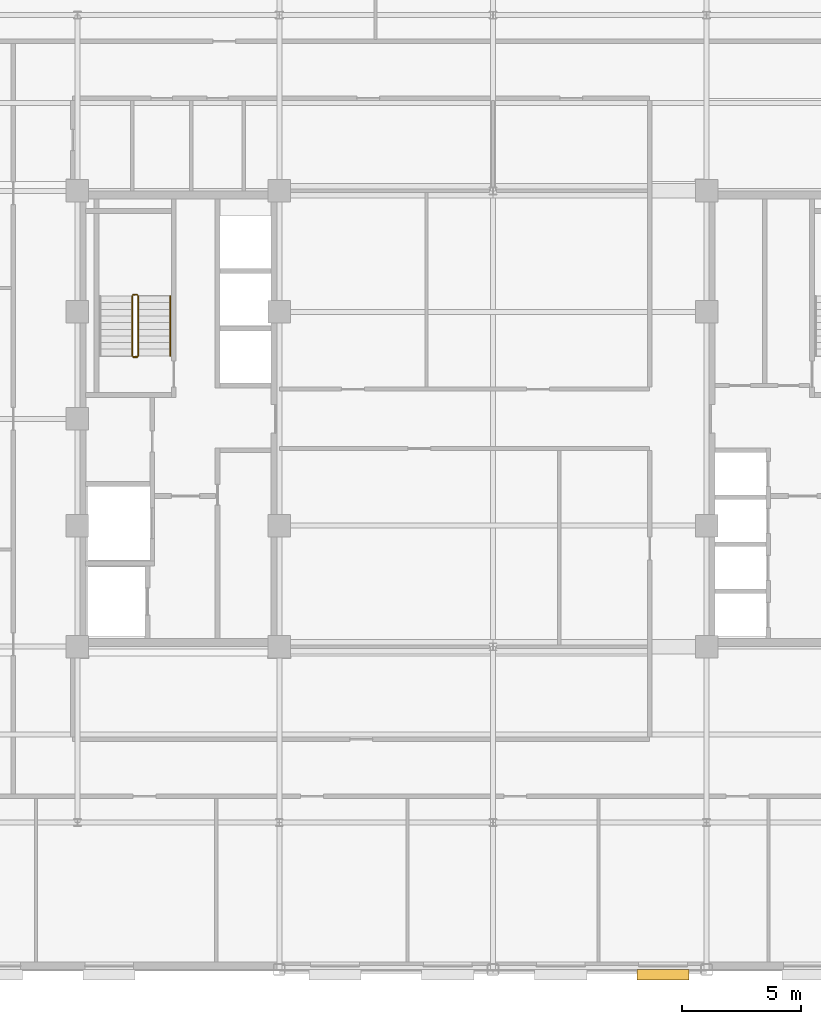
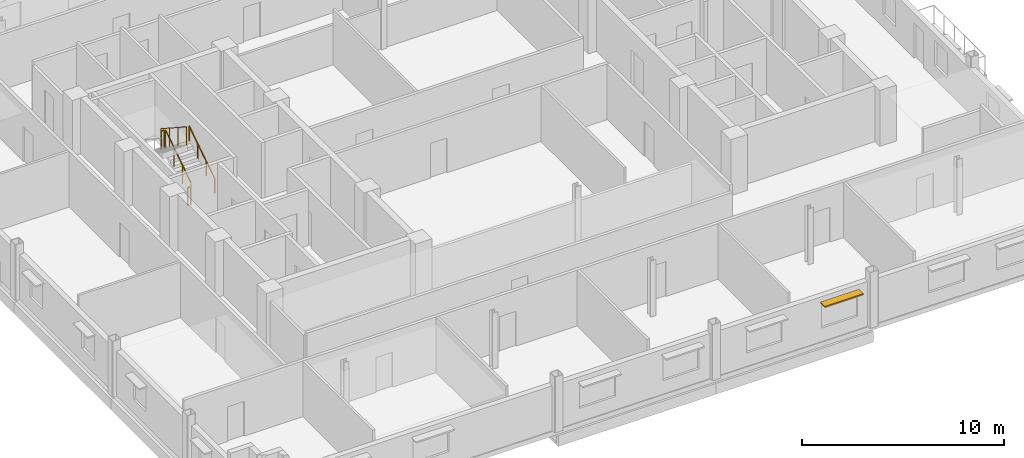
# One storey, part 13 of 15: 5 railings, 1 shading device.
"""IFC4 building model written with IfcOpenShell, lengths in metres."""

from ifc_helpers import new_model, si_unit, direction, frame, origin, origin_2d, place, context, subcontext, project, spatial, rectangle, circle, extrude, source, transform, mapped, material, type_object, type_shapes, element, save


model = new_model("IFC4")

# Units and contexts
model_context = context("Model", 3, precision=1e-05, world=origin(), true_north=direction((0.0, 1.0)))
body_context = subcontext(model_context, "Body", "Model", "MODEL_VIEW")
ifc_project = project(units=[si_unit("LENGTHUNIT", "METRE"), si_unit("AREAUNIT", "SQUARE_METRE"), si_unit("VOLUMEUNIT", "CUBIC_METRE"), si_unit("PLANEANGLEUNIT", "RADIAN"), si_unit("MASSUNIT", "GRAM", prefix="KILO")], contexts=[model_context])

# Site, building, storey
site_placement = place(None, origin())
site = spatial("IfcSite", under=ifc_project, at=site_placement, CompositionType="ELEMENT")
building_placement = place(site_placement, origin())
building = spatial("IfcBuilding", under=site, at=building_placement, Name="Nuvemarco Arch Tower", CompositionType="ELEMENT")
storey_placement = place(building_placement, frame((0.0, 0.0, 194.550048828125)))
storey = spatial("IfcBuildingStorey", under=building, at=storey_placement, Name="L51", CompositionType="ELEMENT", Elevation=194.550048828125)

# Railings
ifc_material_1 = material(Name="Brushed stainless steel handrail", Category="steel")
railing_type_1 = type_object("IfcRailingType", Name="RL-HANDRAIL-900", PredefinedType="HANDRAIL", material=ifc_material_1)
railing_1_placement = place(storey_placement, frame((-13.590087890625, 2.64990234375, 0.182373046875)))
element("IfcRailing", 1, at=railing_1_placement, inside=storey, type_object=railing_type_1, Name="L51 ST-1 stair handrail 1", PredefinedType="HANDRAIL", context=body_context, shape_type="SweptSolid", body=[
    extrude(circle(Radius=0.02392578125, at=origin_2d()), frame((0.0, 0.0, 0.8759765625), z_axis=(0.0, 0.837749427056, 0.546054848405), x_axis=(-1.0, 0.0, 0.0)), (0.0, 0.0, 1.0), 3.008056640625),
    extrude(circle(Radius=0.02099609375, at=origin_2d()), origin(), (0.0, 0.0, 1.0), 0.851806640625),
    extrude(circle(Radius=0.02099609375, at=origin_2d()), frame((0.0, 0.840087890625, 0.547607421875)), (0.0, 0.0, 1.0), 0.851806640625),
    extrude(circle(Radius=0.02099609375, at=origin_2d()), frame((0.0, 1.679931640625, 1.094970703125)), (0.0, 0.0, 1.0), 0.851806640625),
    extrude(circle(Radius=0.02099609375, at=origin_2d()), frame((0.0, 2.52001953125, 1.642578125)), (0.0, 0.0, 1.0), 0.851806640625),
])
ifc_material_2 = material(Name="Painted balustrade steel S355", Category="steel")
railing_type_2 = type_object("IfcRailingType", Name="RL-STAIR-GUARD", PredefinedType="GUARDRAIL", material=ifc_material_2)
railing_2_placement = place(storey_placement, frame((-14.93994140625, 2.64990234375, 0.182373046875)))
element("IfcRailing", 2, at=railing_2_placement, inside=storey, type_object=railing_type_2, Name="L51 ST-1 stair guard 1", PredefinedType="GUARDRAIL", context=body_context, shape_type="SweptSolid", body=[
    extrude(circle(Radius=0.02392578125, at=origin_2d()), frame((0.0, 0.0, 1.09619140625), z_axis=(0.0, 0.837749427056, 0.546054848405), x_axis=(-1.0, 0.0, 0.0)), (0.0, 0.0, 1.0), 3.008056640625),
    extrude(circle(Radius=0.02099609375, at=origin_2d()), origin(), (0.0, 0.0, 1.0), 1.072021484375),
    extrude(circle(Radius=0.02099609375, at=origin_2d()), frame((0.0, 0.840087890625, 0.547607421875)), (0.0, 0.0, 1.0), 1.072021484375),
    extrude(circle(Radius=0.02099609375, at=origin_2d()), frame((0.0, 1.679931640625, 1.094970703125)), (0.0, 0.0, 1.0), 1.072021484375),
    extrude(circle(Radius=0.02099609375, at=origin_2d()), frame((0.0, 2.52001953125, 1.642578125)), (0.0, 0.0, 1.0), 1.072021484375),
])
railing_3_placement = place(storey_placement, frame((-14.989990234375, 5.219970703125, 1.824951171875)))
element("IfcRailing", 3, at=railing_3_placement, inside=storey, type_object=railing_type_2, Name="L51 ST-1 stair guard 2", PredefinedType="GUARDRAIL", context=body_context, shape_type="SweptSolid", body=[
    extrude(circle(Radius=0.02392578125, at=origin_2d()), frame((0.0, 0.0, 1.09619140625), z_axis=(-1.0, 0.0, 0.0), x_axis=(0.0, -1.0, 0.0)), (0.0, 0.0, 1.0), 0.159912109375),
    extrude(circle(Radius=0.02099609375, at=origin_2d()), origin(), (0.0, 0.0, 1.0), 1.072021484375),
    extrude(circle(Radius=0.02099609375, at=origin_2d()), frame((-0.159912109375, 0.0, 0.0)), (0.0, 0.0, 1.0), 1.072021484375),
])
railing_4_placement = place(storey_placement, frame((-15.199951171875, 5.169921875, 2.007568359375)))
element("IfcRailing", 4, at=railing_4_placement, inside=storey, type_object=railing_type_2, Name="L51 ST-1 stair guard 3", PredefinedType="GUARDRAIL", context=body_context, shape_type="SweptSolid", body=[
    extrude(circle(Radius=0.02392578125, at=origin_2d()), frame((0.0, 0.0, 1.09619140625), z_axis=(0.0, -0.837786554691, 0.545997883492), x_axis=(1.0, 0.0, 0.0)), (0.0, 0.0, 1.0), 3.008056640625),
    extrude(circle(Radius=0.02099609375, at=origin_2d()), origin(), (0.0, 0.0, 1.0), 1.072021484375),
    extrude(circle(Radius=0.02099609375, at=origin_2d()), frame((0.0, -0.840087890625, 0.54736328125)), (0.0, 0.0, 1.0), 1.072021484375),
    extrude(circle(Radius=0.02099609375, at=origin_2d()), frame((0.0, -1.679931640625, 1.094970703125)), (0.0, 0.0, 1.0), 1.072021484375),
    extrude(circle(Radius=0.02099609375, at=origin_2d()), frame((0.0, -2.52001953125, 1.642333984375)), (0.0, 0.0, 1.0), 1.072021484375),
])
railing_5_placement = place(storey_placement, frame((-14.989990234375, 2.60009765625, 0.0)))
element("IfcRailing", 5, at=railing_5_placement, inside=storey, type_object=railing_type_2, Name="L51 ST-1 stair guard 4", PredefinedType="GUARDRAIL", context=body_context, shape_type="SweptSolid", body=[
    extrude(circle(Radius=0.02392578125, at=origin_2d()), frame((0.0, 0.0, 1.09619140625), z_axis=(-1.0, 0.0, 0.0), x_axis=(0.0, -1.0, 0.0)), (0.0, 0.0, 1.0), 0.159912109375),
    extrude(circle(Radius=0.02099609375, at=origin_2d()), origin(), (0.0, 0.0, 1.0), 1.072021484375),
    extrude(circle(Radius=0.02099609375, at=origin_2d()), frame((-0.159912109375, 0.0, 0.0)), (0.0, 0.0, 1.0), 1.072021484375),
])

# Shading device
ifc_material_3 = material(Name="Anodised aluminium 6063-T6", Category="aluminium")
shading_device_type = type_object("IfcShadingDeviceType", Name="SHD-BRISE-SOLEIL", PredefinedType="USERDEFINED", material=ifc_material_3)
shared_shape = source(origin(), body_context, "Body", "SweptSolid", [
    extrude(rectangle(XDim=2.199951171875, YDim=0.449951171875, at=origin_2d()), origin(), (0.0, 0.0, 1.0), 0.080078125),
])
type_shapes(shading_device_type, [shared_shape])
shading_device_placement = place(storey_placement, frame((7.1611328125, -23.4150390625, 2.324951171875), z_axis=(0.0, 0.0, 1.0), x_axis=(1.0, 0.0, 0.0)))
element("IfcShadingDevice", 6, at=shading_device_placement, inside=storey, type_object=shading_device_type, Name="L51 horizontal brise-soleil sunshade", ObjectType="SUNSHADE", PredefinedType="USERDEFINED", context=body_context, shape_type="MappedRepresentation", body=[
    mapped(shared_shape, transform((0.0, 0.0, 0.0), scale=1.0)),
])

save(model, "model.ifc")
